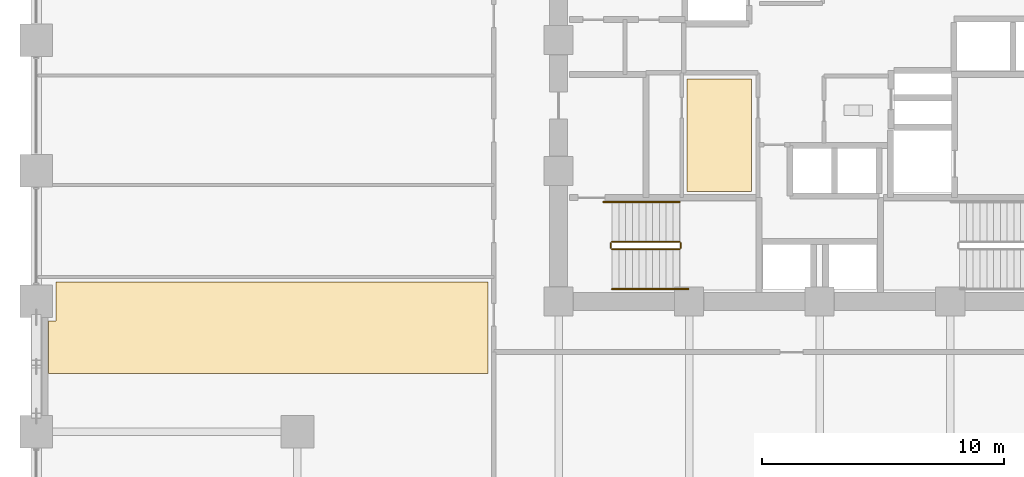
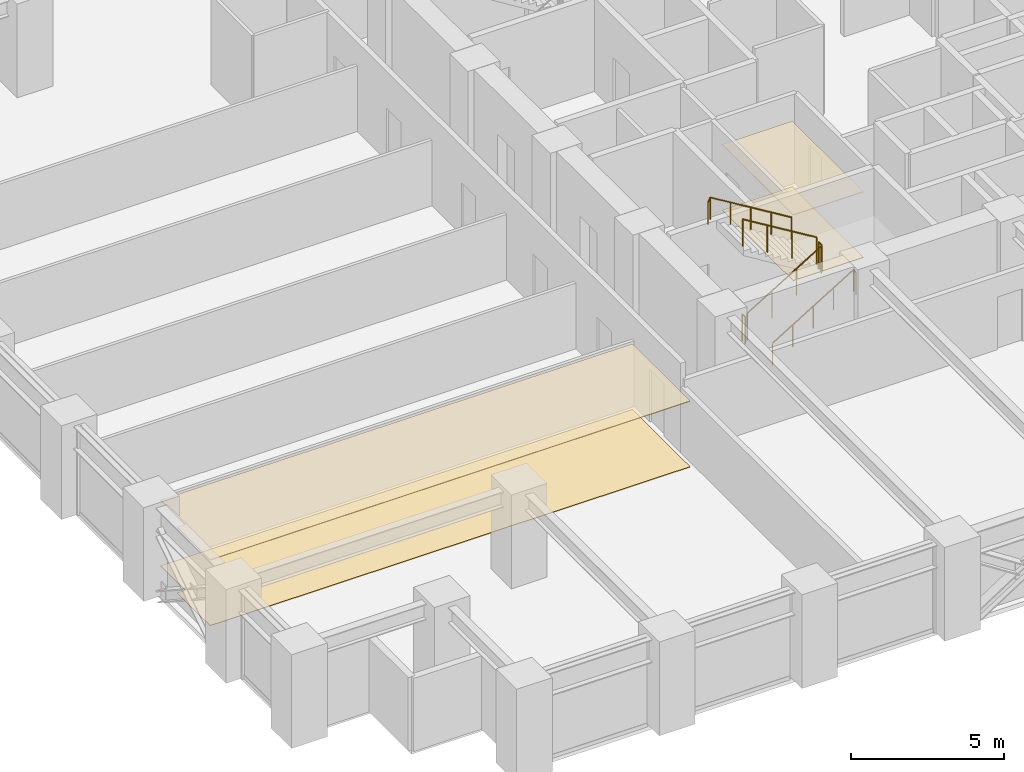
# One storey, part 23 of 25: 6 railings, 4 coverings.
"""IFC4 building model written with IfcOpenShell, lengths in metres."""

from ifc_helpers import new_model, si_unit, direction, frame, origin, origin_2d, place, context, subcontext, project, spatial, polyline, circle, outline, extrude, material, layer, layer_set, type_object, element, save


model = new_model("IFC4")

# Units and contexts
model_context = context("Model", 3, precision=1e-05, world=origin(), true_north=direction((0.0, 1.0)))
body_context = subcontext(model_context, "Body", "Model", "MODEL_VIEW")
ifc_project = project(units=[si_unit("LENGTHUNIT", "METRE"), si_unit("AREAUNIT", "SQUARE_METRE"), si_unit("VOLUMEUNIT", "CUBIC_METRE"), si_unit("PLANEANGLEUNIT", "RADIAN"), si_unit("MASSUNIT", "GRAM", prefix="KILO")], contexts=[model_context])

# Site, building, storey
site_placement = place(None, origin())
site = spatial("IfcSite", under=ifc_project, at=site_placement, CompositionType="ELEMENT")
building_placement = place(site_placement, origin())
building = spatial("IfcBuilding", under=site, at=building_placement, Name="Surkhivell Harbour Commons", CompositionType="ELEMENT")
storey_placement = place(building_placement, frame((0.0, 0.0, 37.5)))
storey = spatial("IfcBuildingStorey", under=building, at=storey_placement, Name="L09", CompositionType="ELEMENT", Elevation=37.5)

# Coverings
ifc_material_1 = material(Name="Perforated acoustic mineral-fibre ceiling tile", Category="other")
ifc_layer_1 = layer(ifc_material_1, 0.02490234375)
ifc_layer_set_1 = layer_set([ifc_layer_1], Name="Perforated acoustic mineral-fibre ceiling tile")
covering_type_1 = type_object("IfcCoveringType", Name="COV-CEIL-AC", PredefinedType="CEILING", material=ifc_layer_set_1)
covering_1_placement = place(storey_placement, frame((0.0, 0.0, 2.6240234375)))
element("IfcCovering", 1, at=covering_1_placement, inside=storey, type_object=covering_type_1, Name="L09 Suspended Acoustic Ceiling 1", PredefinedType="CEILING", context=body_context, shape_type="SweptSolid", body=[
    extrude(outline(polyline([(-5.47998046875, -6.260009765625), (-2.820068359375, -6.260009765625), (-2.820068359375, -1.60009765625), (-5.47998046875, -1.60009765625), (-5.47998046875, -6.260009765625)])), origin(), (0.0, 0.0, 1.0), 0.02490234375),
])
ifc_material_2 = material(Name="Moisture-resistant gypsum acoustic ceiling board", Category="other")
ifc_layer_2 = layer(ifc_material_2, 0.030029296875)
ifc_layer_set_2 = layer_set([ifc_layer_2], Name="Moisture-resistant gypsum acoustic ceiling board")
covering_type_2 = type_object("IfcCoveringType", Name="COV-CEIL-GYP", PredefinedType="CEILING", material=ifc_layer_set_2)
covering_2_placement = place(storey_placement, frame((0.0, 0.0, 2.618896484375)))
element("IfcCovering", 2, at=covering_2_placement, inside=storey, type_object=covering_type_2, Name="L09 Suspended Acoustic Ceiling 2", PredefinedType="CEILING", context=body_context, shape_type="SweptSolid", body=[
    extrude(outline(polyline([(-31.5849609375, -10.00244140625), (-31.5849609375, -11.614990234375), (-31.889892578125, -11.614990234375), (-31.889892578125, -13.780029296875), (-13.719970703125, -13.780029296875), (-13.719970703125, -10.00244140625), (-31.5849609375, -10.00244140625)])), origin(), (0.0, 0.0, 1.0), 0.030029296875),
])
ifc_material_3 = material(Name="Engineered acoustic oak timber flooring", Category="wood")
ifc_layer_3 = layer(ifc_material_3, 0.02001953125)
ifc_layer_set_3 = layer_set([ifc_layer_3], Name="Engineered acoustic oak timber flooring")
covering_type_3 = type_object("IfcCoveringType", Name="COV-FLR-TIM", PredefinedType="FLOORING", material=ifc_layer_set_3)
covering_3_placement = place(storey_placement, origin())
element("IfcCovering", 3, at=covering_3_placement, inside=storey, type_object=covering_type_3, Name="L09 Interior Floor Finish 1", PredefinedType="FLOORING", context=body_context, shape_type="SweptSolid", body=[
    extrude(outline(polyline([(-5.47998046875, -6.260009765625), (-2.820068359375, -6.260009765625), (-2.820068359375, -1.60009765625), (-5.47998046875, -1.60009765625), (-5.47998046875, -6.260009765625)])), origin(), (0.0, 0.0, 1.0), 0.02001953125),
])
covering_4_placement = place(storey_placement, origin())
element("IfcCovering", 4, at=covering_4_placement, inside=storey, type_object=covering_type_3, Name="L09 Interior Floor Finish 2", PredefinedType="FLOORING", context=body_context, shape_type="SweptSolid", body=[
    extrude(outline(polyline([(-31.5849609375, -10.00244140625), (-31.5849609375, -11.614990234375), (-31.889892578125, -11.614990234375), (-31.889892578125, -13.780029296875), (-13.719970703125, -13.780029296875), (-13.719970703125, -10.00244140625), (-31.5849609375, -10.00244140625)])), origin(), (0.0, 0.0, 1.0), 0.02001953125),
])

# Railings
ifc_material_4 = material(Name="Galvanised and painted steel S355 guard rail", Category="steel")
railing_type_1 = type_object("IfcRailingType", Name="RAL-ST-GRD1100", PredefinedType="GUARDRAIL", material=ifc_material_4)
railing_1_placement = place(storey_placement, frame((-8.590087890625, -8.639892578125, 0.17041015625)))
element("IfcRailing", 5, at=railing_1_placement, inside=storey, type_object=railing_type_1, Name="L09 ST3 stair guard 1", PredefinedType="GUARDRAIL", context=body_context, shape_type="SweptSolid", body=[
    extrude(circle(Radius=0.02392578125, at=origin_2d()), frame((0.0, 0.0, 1.076171875), z_axis=(0.854169791009, 0.0, 0.51999420009), x_axis=(0.0, 1.0, 0.0)), (0.0, 0.0, 1.0), 3.278076171875),
    extrude(circle(Radius=0.02099609375, at=origin_2d()), origin(), (0.0, 0.0, 1.0), 1.052001953125),
    extrude(circle(Radius=0.02099609375, at=origin_2d()), frame((0.933349609375, 0.0, 0.568115234375)), (0.0, 0.0, 1.0), 1.052001953125),
    extrude(circle(Radius=0.02099609375, at=origin_2d()), frame((1.86669921875, 0.0, 1.136474609375)), (0.0, 0.0, 1.0), 1.052001953125),
    extrude(circle(Radius=0.02099609375, at=origin_2d()), frame((2.800048828125, 0.0, 1.70458984375)), (0.0, 0.0, 1.0), 1.052001953125),
])
railing_2_placement = place(storey_placement, frame((-5.739990234375, -8.590087890625, 1.875)))
element("IfcRailing", 6, at=railing_2_placement, inside=storey, type_object=railing_type_1, Name="L09 ST3 stair guard 2", PredefinedType="GUARDRAIL", context=body_context, shape_type="SweptSolid", body=[
    extrude(circle(Radius=0.02392578125, at=origin_2d()), frame((0.0, 0.0, 1.076171875), z_axis=(0.0, 1.0, 0.0), x_axis=(-1.0, 0.0, 0.0)), (0.0, 0.0, 1.0), 0.2001953125),
    extrude(circle(Radius=0.02099609375, at=origin_2d()), origin(), (0.0, 0.0, 1.0), 1.052001953125),
    extrude(circle(Radius=0.02099609375, at=origin_2d()), frame((0.0, 0.2001953125, 0.0)), (0.0, 0.0, 1.0), 1.052001953125),
])
railing_3_placement = place(storey_placement, frame((-5.7900390625, -8.340087890625, 2.04541015625)))
element("IfcRailing", 7, at=railing_3_placement, inside=storey, type_object=railing_type_1, Name="L09 ST3 stair guard 3", PredefinedType="GUARDRAIL", context=body_context, shape_type="SweptSolid", body=[
    extrude(circle(Radius=0.02392578125, at=origin_2d()), frame((0.0, 0.0, 1.076171875), z_axis=(-0.854169791009, 0.0, 0.51999420009), x_axis=(0.0, -1.0, 0.0)), (0.0, 0.0, 1.0), 3.278076171875),
    extrude(circle(Radius=0.02099609375, at=origin_2d()), origin(), (0.0, 0.0, 1.0), 1.052001953125),
    extrude(circle(Radius=0.02099609375, at=origin_2d()), frame((-0.933349609375, 0.0, 0.568115234375)), (0.0, 0.0, 1.0), 1.052001953125),
    extrude(circle(Radius=0.02099609375, at=origin_2d()), frame((-1.86669921875, 0.0, 1.136474609375)), (0.0, 0.0, 1.0), 1.052001953125),
    extrude(circle(Radius=0.02099609375, at=origin_2d()), frame((-2.800048828125, 0.0, 1.70458984375)), (0.0, 0.0, 1.0), 1.052001953125),
])
railing_4_placement = place(storey_placement, frame((-8.639892578125, -8.590087890625, 0.0)))
element("IfcRailing", 8, at=railing_4_placement, inside=storey, type_object=railing_type_1, Name="L09 ST3 stair guard 4", PredefinedType="GUARDRAIL", context=body_context, shape_type="SweptSolid", body=[
    extrude(circle(Radius=0.02392578125, at=origin_2d()), frame((0.0, 0.0, 1.076171875), z_axis=(0.0, 1.0, 0.0), x_axis=(-1.0, 0.0, 0.0)), (0.0, 0.0, 1.0), 0.2001953125),
    extrude(circle(Radius=0.02099609375, at=origin_2d()), origin(), (0.0, 0.0, 1.0), 1.052001953125),
    extrude(circle(Radius=0.02099609375, at=origin_2d()), frame((0.0, 0.2001953125, 0.0)), (0.0, 0.0, 1.0), 1.052001953125),
])
ifc_material_5 = material(Name="Brushed stainless steel S355 handrail", Category="steel")
railing_type_2 = type_object("IfcRailingType", Name="RAL-ST-HND900", PredefinedType="HANDRAIL", material=ifc_material_5)
railing_5_placement = place(storey_placement, frame((-8.590087890625, -10.2900390625, 0.17041015625)))
element("IfcRailing", 9, at=railing_5_placement, inside=storey, type_object=railing_type_2, Name="L09 ST3 stair handrail 1", PredefinedType="HANDRAIL", context=body_context, shape_type="SweptSolid", body=[
    extrude(circle(Radius=0.02392578125, at=origin_2d()), frame((0.0, 0.0, 0.8759765625), z_axis=(0.854177636135, 0.0, 0.519981313056), x_axis=(0.0, 1.0, 0.0)), (0.0, 0.0, 1.0), 3.60595703125),
    extrude(circle(Radius=0.02392578125, at=origin_2d()), frame((3.080078125, 0.0, 2.7509765625), z_axis=(0.425297416671, 0.0, -0.905053648892), x_axis=(0.0, 1.0, 0.0)), (0.0, 0.0, 1.0), 0.188232421875),
    extrude(circle(Radius=0.02099609375, at=origin_2d()), origin(), (0.0, 0.0, 1.0), 0.851806640625),
    extrude(circle(Radius=0.02099609375, at=origin_2d()), frame((0.77001953125, 0.0, 0.46875)), (0.0, 0.0, 1.0), 0.851806640625),
    extrude(circle(Radius=0.02099609375, at=origin_2d()), frame((1.5400390625, 0.0, 0.9375)), (0.0, 0.0, 1.0), 0.851806640625),
    extrude(circle(Radius=0.02099609375, at=origin_2d()), frame((2.31005859375, 0.0, 1.40625)), (0.0, 0.0, 1.0), 0.851806640625),
    extrude(circle(Radius=0.02099609375, at=origin_2d()), frame((3.080078125, 0.0, 1.875)), (0.0, 0.0, 1.0), 0.851806640625),
    extrude(circle(Radius=0.02099609375, at=origin_2d()), frame((3.16015625, 0.0, 1.70458984375)), (0.0, 0.0, 1.0), 0.851806640625),
])
railing_6_placement = place(storey_placement, frame((-5.7900390625, -6.68994140625, 2.04541015625)))
element("IfcRailing", 10, at=railing_6_placement, inside=storey, type_object=railing_type_2, Name="L09 ST3 stair handrail 2", PredefinedType="HANDRAIL", context=body_context, shape_type="SweptSolid", body=[
    extrude(circle(Radius=0.02392578125, at=origin_2d()), frame((0.0, 0.0, 0.8759765625), z_axis=(-0.854177636135, 0.0, 0.519981313056), x_axis=(0.0, -1.0, 0.0)), (0.0, 0.0, 1.0), 3.60595703125),
    extrude(circle(Radius=0.02392578125, at=origin_2d()), frame((-3.080078125, 0.0, 2.7509765625), z_axis=(-0.424234432967, 0.0, -0.905552398199), x_axis=(0.0, -1.0, 0.0)), (0.0, 0.0, 1.0), 0.188232421875),
    extrude(circle(Radius=0.02099609375, at=origin_2d()), origin(), (0.0, 0.0, 1.0), 0.851806640625),
    extrude(circle(Radius=0.02099609375, at=origin_2d()), frame((-0.77001953125, 0.0, 0.46875)), (0.0, 0.0, 1.0), 0.851806640625),
    extrude(circle(Radius=0.02099609375, at=origin_2d()), frame((-1.5400390625, 0.0, 0.9375)), (0.0, 0.0, 1.0), 0.851806640625),
    extrude(circle(Radius=0.02099609375, at=origin_2d()), frame((-2.31005859375, 0.0, 1.40625)), (0.0, 0.0, 1.0), 0.851806640625),
    extrude(circle(Radius=0.02099609375, at=origin_2d()), frame((-3.080078125, 0.0, 1.875)), (0.0, 0.0, 1.0), 0.851806640625),
    extrude(circle(Radius=0.02099609375, at=origin_2d()), frame((-3.159912109375, 0.0, 1.70458984375)), (0.0, 0.0, 1.0), 0.851806640625),
])

save(model, "model.ifc")
